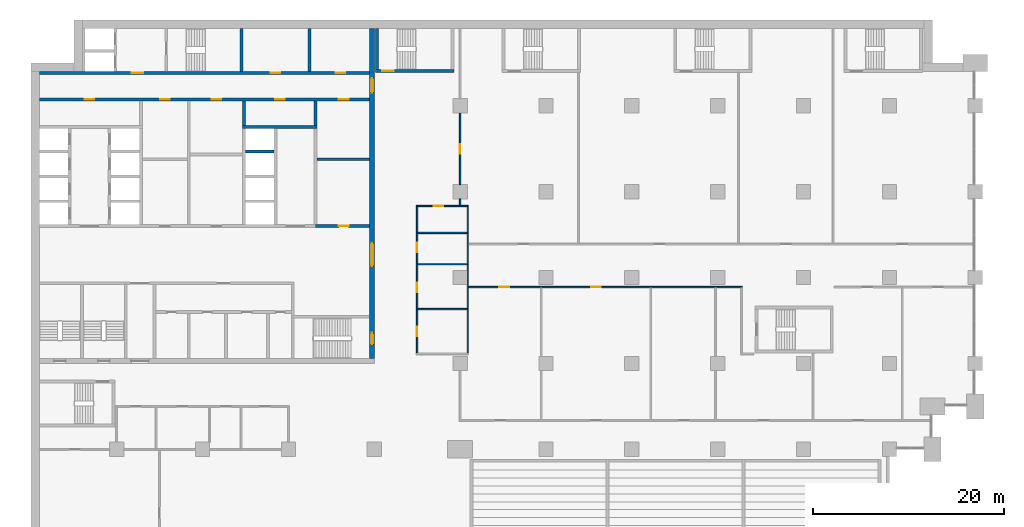
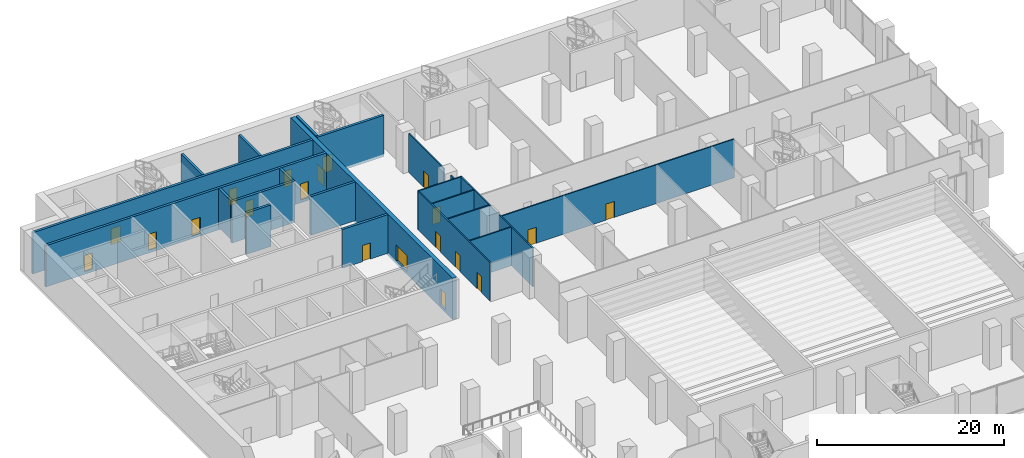
# One storey, part 19 of 44: 22 walls, 20 doors, 20 openings.
"""IFC4 building model written with IfcOpenShell, lengths in metres."""

from ifc_helpers import new_model, si_unit, direction, frame, frame_2d, origin, place, context, subcontext, project, spatial, rectangle, extrude, material, layer, layer_set, type_object, element, fill, save


model = new_model("IFC4")

# Units and contexts
model_context = context("Model", 3, precision=1e-05, world=origin(), true_north=direction((0.0, 1.0)))
body_context = subcontext(model_context, "Body", "Model", "MODEL_VIEW")
ifc_project = project(units=[si_unit("LENGTHUNIT", "METRE"), si_unit("AREAUNIT", "SQUARE_METRE"), si_unit("VOLUMEUNIT", "CUBIC_METRE"), si_unit("PLANEANGLEUNIT", "RADIAN"), si_unit("MASSUNIT", "GRAM", prefix="KILO")], contexts=[model_context])

# Site, building, storey
site_placement = place(None, origin())
site = spatial("IfcSite", under=ifc_project, at=site_placement, CompositionType="ELEMENT")
building_placement = place(site_placement, origin())
building = spatial("IfcBuilding", under=site, at=building_placement, Name="Hunhe Ridgeline Campus", CompositionType="ELEMENT")
storey_placement = place(building_placement, frame((0.0, 0.0, 6.0)))
storey = spatial("IfcBuildingStorey", under=building, at=storey_placement, Name="L01", CompositionType="ELEMENT", Elevation=6.0)

# Wall
ifc_material_1 = material(Name="Plastered blockwork", Category="masonry")
ifc_layer_1 = layer(ifc_material_1, 0.14990234375)
ifc_layer_set_1 = layer_set([ifc_layer_1], Name="Blockwork partition 150")
wall_type_1 = type_object("IfcWallType", Name="Blockwork partition 150", PredefinedType="PARTITIONING", material=ifc_layer_set_1)
wall_1_placement = place(storey_placement, frame((45.0, 79.574951171875, 0.0), z_axis=(0.0, 0.0, 1.0), x_axis=(0.0, 1.0, 0.0)))
element("IfcWall", 1, at=wall_1_placement, inside=storey, type_object=wall_type_1, Name="L01 partition", PredefinedType="PARTITIONING", context=body_context, shape_type="SweptSolid", body=[
    extrude(rectangle(XDim=0.675048828125, YDim=0.14990234375, at=frame_2d((0.33740234375, 0.0))), origin(), (0.0, 0.0, 1.0), 5.050048828125),
])

# Wall, opening, door
wall_2_placement = place(storey_placement, frame((45.0, 81.75, 0.0), z_axis=(0.0, 0.0, 1.0), x_axis=(0.0, 1.0, 0.0)))
wall_2 = element("IfcWall", 2, at=wall_2_placement, inside=storey, type_object=wall_type_1, Name="L01 partition", PredefinedType="PARTITIONING", context=body_context, shape_type="SweptSolid", body=[
    extrude(rectangle(XDim=7.5, YDim=0.14990234375, at=frame_2d((3.75, 0.0))), origin(), (0.0, 0.0, 1.0), 5.050048828125),
])
opening_1_placement = place(wall_2_placement, frame((3.25, 0.0, 0.0)))
opening_1 = element("IfcOpeningElement", 3, at=opening_1_placement, cuts=wall_2, Name="Opening PD237", PredefinedType="OPENING", context=body_context, shape_type="SweptSolid", body=[
    extrude(rectangle(XDim=1.0, YDim=2.10009765625, at=frame_2d((0.5, 1.050048828125))), frame((0.0, 0.074951171875, 0.0), z_axis=(0.0, -1.0, 0.0), x_axis=(1.0, 0.0, 0.0)), (0.0, 0.0, 1.0), 0.14990234375),
])
ifc_material_2 = material(Name="Timber", Category="wood")
door_type_1 = type_object("IfcDoorType", Name="Podium timber door 1000x2100", OperationType="NOTDEFINED", PredefinedType="DOOR", material=ifc_material_2)
door_1_placement = place(opening_1_placement, origin())
door_1 = element("IfcDoor", 4, at=door_1_placement, inside=storey, type_object=door_type_1, Name="Department Office 1.14 door", OperationType="SINGLE_SWING_RIGHT", OverallHeight=2.10009765625, OverallWidth=1.0, PredefinedType="DOOR", context=body_context, shape_type="SweptSolid", body=[
    extrude(rectangle(XDim=1.0, YDim=2.10009765625, at=frame_2d((0.5, 1.050048828125))), frame((0.0, 0.02490234375, 0.0), z_axis=(0.0, -1.0, 0.0), x_axis=(1.0, 0.0, 0.0)), (0.0, 0.0, 1.0), 0.050048828125),
])
fill(opening_1, door_1)

# Walls
wall_3_placement = place(storey_placement, frame((40.574951171875, 68.697021484375, 0.0), z_axis=(0.0, 0.0, 1.0), x_axis=(1.0, 0.0, 0.0)))
element("IfcWall", 5, at=wall_3_placement, inside=storey, type_object=wall_type_1, Name="L01 partition", PredefinedType="PARTITIONING", context=body_context, shape_type="SweptSolid", body=[
    extrude(rectangle(XDim=5.150146484375, YDim=0.14990234375, at=frame_2d((2.5751953125, 0.0))), origin(), (0.0, 0.0, 1.0), 5.050048828125),
])
wall_4_placement = place(storey_placement, frame((45.800048828125, 79.425048828125, 0.0), z_axis=(0.0, 0.0, 1.0), x_axis=(0.0, -1.0, 0.0)))
element("IfcWall", 6, at=wall_4_placement, inside=storey, type_object=wall_type_1, Name="L01 partition", PredefinedType="PARTITIONING", context=body_context, shape_type="SweptSolid", body=[
    extrude(rectangle(XDim=15.35009765625, YDim=0.14990234375, at=frame_2d((7.675048828125, 0.0))), origin(), (0.0, 0.0, 1.0), 5.050048828125),
])

# Wall, openings, doors
wall_5_placement = place(storey_placement, frame((40.5, 64.074951171875, 0.0), z_axis=(0.0, 0.0, 1.0), x_axis=(0.0, 1.0, 0.0)))
wall_5 = element("IfcWall", 7, at=wall_5_placement, inside=storey, type_object=wall_type_1, Name="L01 partition", PredefinedType="PARTITIONING", context=body_context, shape_type="SweptSolid", body=[
    extrude(rectangle(XDim=15.35009765625, YDim=0.14990234375, at=frame_2d((7.675048828125, 0.0))), origin(), (0.0, 0.0, 1.0), 5.050048828125),
])
opening_2_placement = place(wall_5_placement, frame((1.75, 0.0, 0.0)))
opening_2 = element("IfcOpeningElement", 8, at=opening_2_placement, cuts=wall_5, Name="Opening PD223", PredefinedType="OPENING", context=body_context, shape_type="SweptSolid", body=[
    extrude(rectangle(XDim=1.0, YDim=2.10009765625, at=frame_2d((0.5, 1.050048828125))), frame((0.0, 0.074951171875, 0.0), z_axis=(0.0, -1.0, 0.0), x_axis=(1.0, 0.0, 0.0)), (0.0, 0.0, 1.0), 0.14990234375),
])
opening_3_placement = place(wall_5_placement, frame((6.3720703125, 0.0, 0.0)))
opening_3 = element("IfcOpeningElement", 9, at=opening_3_placement, cuts=wall_5, Name="Opening PD224", PredefinedType="OPENING", context=body_context, shape_type="SweptSolid", body=[
    extrude(rectangle(XDim=1.0, YDim=2.10009765625, at=frame_2d((0.5, 1.050048828125))), frame((0.0, 0.074951171875, 0.0), z_axis=(0.0, -1.0, 0.0), x_axis=(1.0, 0.0, 0.0)), (0.0, 0.0, 1.0), 0.14990234375),
])
opening_4_placement = place(wall_5_placement, frame((10.569091796875, 0.0, 0.0)))
opening_4 = element("IfcOpeningElement", 10, at=opening_4_placement, cuts=wall_5, Name="Opening PD225", PredefinedType="OPENING", context=body_context, shape_type="SweptSolid", body=[
    extrude(rectangle(XDim=1.0, YDim=2.10009765625, at=frame_2d((0.5, 1.050048828125))), frame((0.0, 0.074951171875, 0.0), z_axis=(0.0, -1.0, 0.0), x_axis=(1.0, 0.0, 0.0)), (0.0, 0.0, 1.0), 0.14990234375),
])
door_type_2 = type_object("IfcDoorType", Name="Podium accessible WC door 1000x2100", OperationType="NOTDEFINED", PredefinedType="DOOR", material=ifc_material_2)
door_2_placement = place(opening_4_placement, origin())
door_2 = element("IfcDoor", 11, at=door_2_placement, inside=storey, type_object=door_type_2, Name="Accessible WC door", OperationType="SINGLE_SWING_RIGHT", OverallHeight=2.10009765625, OverallWidth=1.0, PredefinedType="DOOR", context=body_context, shape_type="SweptSolid", body=[
    extrude(rectangle(XDim=1.0, YDim=2.10009765625, at=frame_2d((0.5, 1.050048828125))), frame((0.0, 0.02490234375, 0.0), z_axis=(0.0, -1.0, 0.0), x_axis=(1.0, 0.0, 0.0)), (0.0, 0.0, 1.0), 0.050048828125),
])
fill(opening_4, door_2)
door_3_placement = place(opening_2_placement, origin())
door_3 = element("IfcDoor", 12, at=door_3_placement, inside=storey, type_object=door_type_1, Name="Men WC door", OperationType="SINGLE_SWING_LEFT", OverallHeight=2.10009765625, OverallWidth=1.0, PredefinedType="DOOR", context=body_context, shape_type="SweptSolid", body=[
    extrude(rectangle(XDim=1.0, YDim=2.10009765625, at=frame_2d((0.5, 1.050048828125))), frame((0.0, 0.02490234375, 0.0), z_axis=(0.0, -1.0, 0.0), x_axis=(1.0, 0.0, 0.0)), (0.0, 0.0, 1.0), 0.050048828125),
])
fill(opening_2, door_3)
door_4_placement = place(opening_3_placement, origin())
door_4 = element("IfcDoor", 13, at=door_4_placement, inside=storey, type_object=door_type_1, Name="Women WC door", OperationType="SINGLE_SWING_LEFT", OverallHeight=2.10009765625, OverallWidth=1.0, PredefinedType="DOOR", context=body_context, shape_type="SweptSolid", body=[
    extrude(rectangle(XDim=1.0, YDim=2.10009765625, at=frame_2d((0.5, 1.050048828125))), frame((0.0, 0.02490234375, 0.0), z_axis=(0.0, -1.0, 0.0), x_axis=(1.0, 0.0, 0.0)), (0.0, 0.0, 1.0), 0.050048828125),
])
fill(opening_3, door_4)

# Walls
for number, where, z_axis, x_axis, name in (
    (14, (40.574951171875, 73.39404296875, 0.0), (0.0, 0.0, 1.0), (1.0, 0.0, 0.0), "L01 partition"),
    (15, (40.574951171875, 76.681884765625, 0.0), (0.0, 0.0, 1.0), (1.0, 0.0, 0.0), "L01 partition"),
):
    element("IfcWall", number, at=place(storey_placement, frame(where, z_axis=z_axis, x_axis=x_axis)), inside=storey, type_object=wall_type_1, Name=name, PredefinedType="PARTITIONING", context=body_context, shape_type="SweptSolid", body=[
        extrude(rectangle(XDim=5.150146484375, YDim=0.14990234375, at=frame_2d((2.5751953125, 0.0))), origin(), (0.0, 0.0, 1.0), 5.050048828125),
    ])

# Wall, opening, door
wall_6_placement = place(storey_placement, frame((40.425048828125, 79.5, 0.0), z_axis=(0.0, 0.0, 1.0), x_axis=(1.0, 0.0, 0.0)))
wall_6 = element("IfcWall", 16, at=wall_6_placement, inside=storey, type_object=wall_type_1, Name="L01 partition", PredefinedType="PARTITIONING", context=body_context, shape_type="SweptSolid", body=[
    extrude(rectangle(XDim=5.449951171875, YDim=0.14990234375, at=frame_2d((2.72509765625, 0.0))), origin(), (0.0, 0.0, 1.0), 5.050048828125),
])
opening_5_placement = place(wall_6_placement, frame((1.824951171875, 0.0, 0.0)))
opening_5 = element("IfcOpeningElement", 17, at=opening_5_placement, cuts=wall_6, Name="Opening PD226", PredefinedType="OPENING", context=body_context, shape_type="SweptSolid", body=[
    extrude(rectangle(XDim=1.0, YDim=2.10009765625, at=frame_2d((0.5, 1.050048828125))), frame((0.0, 0.074951171875, 0.0), z_axis=(0.0, -1.0, 0.0), x_axis=(1.0, 0.0, 0.0)), (0.0, 0.0, 1.0), 0.14990234375),
])
door_5_placement = place(opening_5_placement, origin())
door_5 = element("IfcDoor", 18, at=door_5_placement, inside=storey, type_object=door_type_1, Name="Cleaners Store door", OperationType="SINGLE_SWING_LEFT", OverallHeight=2.10009765625, OverallWidth=1.0, PredefinedType="DOOR", context=body_context, shape_type="SweptSolid", body=[
    extrude(rectangle(XDim=1.0, YDim=2.10009765625, at=frame_2d((0.5, 1.050048828125))), frame((0.0, 0.02490234375, 0.0), z_axis=(0.0, -1.0, 0.0), x_axis=(1.0, 0.0, 0.0)), (0.0, 0.0, 1.0), 0.050048828125),
])
fill(opening_5, door_5)

# Wall, openings, doors
wall_7_placement = place(storey_placement, frame((45.875, 71.0, 0.0), z_axis=(0.0, 0.0, 1.0), x_axis=(1.0, 0.0, 0.0)))
wall_7 = element("IfcWall", 19, at=wall_7_placement, inside=storey, type_object=wall_type_1, Name="L01 partition", PredefinedType="PARTITIONING", context=body_context, shape_type="SweptSolid", body=[
    extrude(rectangle(XDim=28.699951171875, YDim=0.14990234375, at=frame_2d((14.35009765625, 0.0))), origin(), (0.0, 0.0, 1.0), 5.050048828125),
])
opening_6_placement = place(wall_7_placement, frame((3.25, 0.0, 0.0)))
opening_6 = element("IfcOpeningElement", 20, at=opening_6_placement, cuts=wall_7, Name="Opening PD228", PredefinedType="OPENING", context=body_context, shape_type="SweptSolid", body=[
    extrude(rectangle(XDim=1.0, YDim=2.10009765625, at=frame_2d((0.5, 1.050048828125))), frame((0.0, 0.074951171875, 0.0), z_axis=(0.0, -1.0, 0.0), x_axis=(1.0, 0.0, 0.0)), (0.0, 0.0, 1.0), 0.14990234375),
])
opening_7_placement = place(wall_7_placement, frame((12.87890625, 0.0, 0.0)))
opening_7 = element("IfcOpeningElement", 21, at=opening_7_placement, cuts=wall_7, Name="Opening PD230", PredefinedType="OPENING", context=body_context, shape_type="SweptSolid", body=[
    extrude(rectangle(XDim=1.0, YDim=2.10009765625, at=frame_2d((0.5, 1.050048828125))), frame((0.0, 0.074951171875, 0.0), z_axis=(0.0, -1.0, 0.0), x_axis=(1.0, 0.0, 0.0)), (0.0, 0.0, 1.0), 0.14990234375),
])
door_6_placement = place(opening_6_placement, origin())
door_6 = element("IfcDoor", 22, at=door_6_placement, inside=storey, type_object=door_type_1, Name="Computing Teaching Room 1.09 door", OperationType="SINGLE_SWING_LEFT", OverallHeight=2.10009765625, OverallWidth=1.0, PredefinedType="DOOR", context=body_context, shape_type="SweptSolid", body=[
    extrude(rectangle(XDim=1.0, YDim=2.10009765625, at=frame_2d((0.5, 1.050048828125))), frame((0.0, 0.02490234375, 0.0), z_axis=(0.0, -1.0, 0.0), x_axis=(1.0, 0.0, 0.0)), (0.0, 0.0, 1.0), 0.050048828125),
])
fill(opening_6, door_6)
door_7_placement = place(opening_7_placement, origin())
door_7 = element("IfcDoor", 23, at=door_7_placement, inside=storey, type_object=door_type_1, Name="Computing Teaching Room 1.10 door", OperationType="SINGLE_SWING_LEFT", OverallHeight=2.10009765625, OverallWidth=1.0, PredefinedType="DOOR", context=body_context, shape_type="SweptSolid", body=[
    extrude(rectangle(XDim=1.0, YDim=2.10009765625, at=frame_2d((0.5, 1.050048828125))), frame((0.0, 0.02490234375, 0.0), z_axis=(0.0, -1.0, 0.0), x_axis=(1.0, 0.0, 0.0)), (0.0, 0.0, 1.0), 0.050048828125),
])
fill(opening_7, door_7)

# Wall, opening, door
ifc_material_3 = material(Name="Masonry concrete blockwork", Category="masonry")
ifc_layer_2 = layer(ifc_material_3, 0.300048828125)
ifc_layer_set_2 = layer_set([ifc_layer_2], Name="Core room partition 300 concrete block")
wall_type_2 = type_object("IfcWallType", Name="Core room partition 300 concrete block", PredefinedType="PARTITIONING", material=ifc_layer_set_2)
wall_8_placement = place(storey_placement, frame((29.85009765625, 77.39990234375, 0.0), z_axis=(0.0, 0.0, 1.0), x_axis=(1.0, 0.0, 0.0)))
wall_8 = element("IfcWall", 24, at=wall_8_placement, inside=storey, type_object=wall_type_2, Name="L01 core partition 15", PredefinedType="PARTITIONING", context=body_context, shape_type="SweptSolid", body=[
    extrude(rectangle(XDim=5.64990234375, YDim=0.300048828125, at=frame_2d((2.824951171875, 0.0))), origin(), (0.0, 0.0, 1.0), 5.050048828125),
])
opening_8_placement = place(wall_8_placement, frame((2.449951171875, 0.0, 0.0)))
opening_8 = element("IfcOpeningElement", 25, at=opening_8_placement, cuts=wall_8, Name="Opening CD32", PredefinedType="OPENING", context=body_context, shape_type="SweptSolid", body=[
    extrude(rectangle(XDim=1.0, YDim=2.10009765625, at=frame_2d((0.5, 1.050048828125))), frame((0.0, 0.14990234375, 0.0), z_axis=(0.0, -1.0, 0.0), x_axis=(1.0, 0.0, 0.0)), (0.0, 0.0, 1.0), 0.300048828125),
])
ifc_material_4 = material(Name="Solid core timber door leaf", Category="wood")
door_type_3 = type_object("IfcDoorType", Name="Timber door 1000x2100", OperationType="SINGLE_SWING_LEFT", PredefinedType="DOOR", material=ifc_material_4)
door_8_placement = place(opening_8_placement, origin())
door_8 = element("IfcDoor", 26, at=door_8_placement, inside=storey, type_object=door_type_3, Name="L01 door ES0", OperationType="SINGLE_SWING_RIGHT", OverallHeight=2.10009765625, OverallWidth=1.0, PredefinedType="DOOR", context=body_context, shape_type="SweptSolid", body=[
    extrude(rectangle(XDim=1.0, YDim=2.10009765625, at=frame_2d((0.5, 1.050048828125))), frame((0.0, 0.02490234375, 0.0), z_axis=(0.0, -1.0, 0.0), x_axis=(1.0, 0.0, 0.0)), (0.0, 0.0, 1.0), 0.050048828125),
])
fill(opening_8, door_8)

# Walls
wall_9_placement = place(storey_placement, frame((30.0, 84.39990234375, 0.0), z_axis=(0.0, 0.0, 1.0), x_axis=(1.0, 0.0, 0.0)))
element("IfcWall", 27, at=wall_9_placement, inside=storey, type_object=wall_type_2, Name="L01 core partition 23", PredefinedType="PARTITIONING", context=body_context, shape_type="SweptSolid", body=[
    extrude(rectangle(XDim=5.5, YDim=0.300048828125, at=frame_2d((2.75, 0.0))), origin(), (0.0, 0.0, 1.0), 5.050048828125),
])
wall_10_placement = place(storey_placement, frame((22.35009765625, 87.949951171875, 0.0), z_axis=(0.0, 0.0, 1.0), x_axis=(0.0, 1.0, 0.0)))
element("IfcWall", 28, at=wall_10_placement, inside=storey, type_object=wall_type_2, Name="L01 core partition 55", PredefinedType="PARTITIONING", context=body_context, shape_type="SweptSolid", body=[
    extrude(rectangle(XDim=2.550048828125, YDim=0.300048828125, at=frame_2d((1.27490234375, 0.0))), origin(), (0.0, 0.0, 1.0), 5.050048828125),
])
wall_11_placement = place(storey_placement, frame((29.199951171875, 93.60009765625, 0.0), z_axis=(0.0, 0.0, 1.0), x_axis=(0.0, 1.0, 0.0)))
element("IfcWall", 29, at=wall_11_placement, inside=storey, type_object=wall_type_2, Name="L01 core partition 61", PredefinedType="PARTITIONING", context=body_context, shape_type="SweptSolid", body=[
    extrude(rectangle(XDim=4.5, YDim=0.300048828125, at=frame_2d((2.25, 0.0))), origin(), (0.0, 0.0, 1.0), 5.050048828125),
])
wall_12_placement = place(storey_placement, frame((29.85009765625, 87.949951171875, 0.0), z_axis=(0.0, 0.0, 1.0), x_axis=(0.0, 1.0, 0.0)))
element("IfcWall", 30, at=wall_12_placement, inside=storey, type_object=wall_type_2, Name="L01 core partition 63", PredefinedType="PARTITIONING", context=body_context, shape_type="SweptSolid", body=[
    extrude(rectangle(XDim=2.550048828125, YDim=0.300048828125, at=frame_2d((1.27490234375, 0.0))), origin(), (0.0, 0.0, 1.0), 5.050048828125),
])

# Wall, openings, doors
ifc_material_5 = material(Name="Concrete C80", Category="concrete")
ifc_layer_3 = layer(ifc_material_5, 0.5)
ifc_layer_set_3 = layer_set([ifc_layer_3], Name="Core wall 500 reinforced concrete C80")
wall_type_3 = type_object("IfcWallType", Name="Core wall 500 reinforced concrete C80", PredefinedType="SOLIDWALL", material=ifc_layer_set_3)
wall_13_placement = place(storey_placement, frame((35.75, 63.5, -0.35009765625), z_axis=(0.0, 0.0, 1.0), x_axis=(0.0, 1.0, 0.0)))
wall_13 = element("IfcWall", 31, at=wall_13_placement, inside=storey, type_object=wall_type_3, Name="L01 core wall 64", PredefinedType="SOLIDWALL", context=body_context, shape_type="SweptSolid", body=[
    extrude(rectangle(XDim=34.60009765625, YDim=0.5, at=frame_2d((17.300048828125, 0.0))), origin(), (0.0, 0.0, 1.0), 5.400146484375),
])
opening_9_placement = place(wall_13_placement, frame((9.699951171875, 0.0, 0.35009765625)))
opening_9 = element("IfcOpeningElement", 32, at=opening_9_placement, cuts=wall_13, Name="Opening CD4", PredefinedType="OPENING", context=body_context, shape_type="SweptSolid", body=[
    extrude(rectangle(XDim=2.39990234375, YDim=2.10009765625, at=frame_2d((1.199951171875, 1.050048828125))), frame((0.0, 0.25, 0.0), z_axis=(0.0, -1.0, 0.0), x_axis=(1.0, 0.0, 0.0)), (0.0, 0.0, 1.0), 0.5),
])
opening_10_placement = place(wall_13_placement, frame((27.89990234375, 0.0, 0.35009765625)))
opening_10 = element("IfcOpeningElement", 33, at=opening_10_placement, cuts=wall_13, Name="Opening CD5", PredefinedType="OPENING", context=body_context, shape_type="SweptSolid", body=[
    extrude(rectangle(XDim=1.5, YDim=2.10009765625, at=frame_2d((0.75, 1.050048828125))), frame((0.0, 0.25, 0.0), z_axis=(0.0, -1.0, 0.0), x_axis=(1.0, 0.0, 0.0)), (0.0, 0.0, 1.0), 0.5),
])
opening_11_placement = place(wall_13_placement, frame((1.5, 0.0, 0.35009765625)))
opening_11 = element("IfcOpeningElement", 34, at=opening_11_placement, cuts=wall_13, Name="Opening CD15", PredefinedType="OPENING", context=body_context, shape_type="SweptSolid", body=[
    extrude(rectangle(XDim=1.199951171875, YDim=2.10009765625, at=frame_2d((0.60009765625, 1.050048828125))), frame((0.0, 0.25, 0.0), z_axis=(0.0, -1.0, 0.0), x_axis=(1.0, 0.0, 0.0)), (0.0, 0.0, 1.0), 0.5),
])
ifc_material_6 = material(Name="Anodised aluminium and glass", Category="aluminium")
door_type_4 = type_object("IfcDoorType", Name="Glazed double door 2400x2100", OperationType="DOUBLE_DOOR_SINGLE_SWING", PredefinedType="DOOR", material=ifc_material_6)
door_9_placement = place(opening_9_placement, frame((2.39990234375, 0.0, 0.0), z_axis=(0.0, 0.0, 1.0), x_axis=(-1.0, 0.0, 0.0)))
door_9 = element("IfcDoor", 35, at=door_9_placement, inside=storey, type_object=door_type_4, Name="L01 door HALL-FLOOR", OperationType="DOUBLE_DOOR_SINGLE_SWING", OverallHeight=2.10009765625, OverallWidth=2.39990234375, PredefinedType="DOOR", context=body_context, shape_type="SweptSolid", body=[
    extrude(rectangle(XDim=2.39990234375, YDim=2.10009765625, at=frame_2d((1.199951171875, 1.050048828125))), frame((0.0, 0.02490234375, 0.0), z_axis=(0.0, -1.0, 0.0), x_axis=(1.0, 0.0, 0.0)), (0.0, 0.0, 1.0), 0.050048828125),
])
fill(opening_9, door_9)
ifc_material_7 = material(Name="Hollow metal fire door leaf")
door_type_5 = type_object("IfcDoorType", Name="Stair door 1200x2100 FD60", OperationType="SINGLE_SWING_LEFT", PredefinedType="DOOR", material=ifc_material_7)
door_10_placement = place(opening_11_placement, frame((1.199951171875, 0.0, 0.0), z_axis=(0.0, 0.0, 1.0), x_axis=(-1.0, 0.0, 0.0)))
door_10 = element("IfcDoor", 36, at=door_10_placement, inside=storey, type_object=door_type_5, Name="L01 door S2-FLOOR", OperationType="SINGLE_SWING_RIGHT", OverallHeight=2.10009765625, OverallWidth=1.199951171875, PredefinedType="DOOR", context=body_context, shape_type="SweptSolid", body=[
    extrude(rectangle(XDim=1.199951171875, YDim=2.10009765625, at=frame_2d((0.60009765625, 1.050048828125))), frame((0.0, 0.02490234375, 0.0), z_axis=(0.0, -1.0, 0.0), x_axis=(1.0, 0.0, 0.0)), (0.0, 0.0, 1.0), 0.050048828125),
])
fill(opening_11, door_10)
door_type_6 = type_object("IfcDoorType", Name="Timber door 1500x2100", OperationType="SINGLE_SWING_LEFT", PredefinedType="DOOR", material=ifc_material_4)
door_11_placement = place(opening_10_placement, frame((1.5, 0.0, 0.0), z_axis=(0.0, 0.0, 1.0), x_axis=(-1.0, 0.0, 0.0)))
door_11 = element("IfcDoor", 37, at=door_11_placement, inside=storey, type_object=door_type_6, Name="L01 door C1-FLOOR", OperationType="SINGLE_SWING_RIGHT", OverallHeight=2.10009765625, OverallWidth=1.5, PredefinedType="DOOR", context=body_context, shape_type="SweptSolid", body=[
    extrude(rectangle(XDim=1.5, YDim=2.10009765625, at=frame_2d((0.75, 1.050048828125))), frame((0.0, 0.02490234375, 0.0), z_axis=(0.0, -1.0, 0.0), x_axis=(1.0, 0.0, 0.0)), (0.0, 0.0, 1.0), 0.050048828125),
])
fill(opening_10, door_11)

ifc_layer_4 = layer(ifc_material_5, 0.300048828125)
ifc_layer_set_4 = layer_set([ifc_layer_4], Name="Lobby wall 300 reinforced concrete C80")
wall_type_4 = type_object("IfcWallType", Name="Lobby wall 300 reinforced concrete C80", PredefinedType="SOLIDWALL", material=ifc_layer_set_4)
wall_14_placement = place(storey_placement, frame((0.89990234375, 90.64990234375, -0.35009765625), z_axis=(0.0, 0.0, 1.0), x_axis=(1.0, 0.0, 0.0)))
wall_14 = element("IfcWall", 38, at=wall_14_placement, inside=storey, type_object=wall_type_4, Name="L01 core wall 30", PredefinedType="SOLIDWALL", context=body_context, shape_type="SweptSolid", body=[
    extrude(rectangle(XDim=34.60009765625, YDim=0.300048828125, at=frame_2d((17.300048828125, 0.0))), origin(), (0.0, 0.0, 1.0), 5.400146484375),
])
opening_12_placement = place(wall_14_placement, frame((4.75, 0.0, 0.35009765625)))
opening_12 = element("IfcOpeningElement", 39, at=opening_12_placement, cuts=wall_14, Name="Opening CD26", PredefinedType="OPENING", context=body_context, shape_type="SweptSolid", body=[
    extrude(rectangle(XDim=1.0, YDim=2.10009765625, at=frame_2d((0.5, 1.050048828125))), frame((0.0, 0.14990234375, 0.0), z_axis=(0.0, -1.0, 0.0), x_axis=(1.0, 0.0, 0.0)), (0.0, 0.0, 1.0), 0.300048828125),
])
opening_13_placement = place(wall_14_placement, frame((24.699951171875, 0.0, 0.35009765625)))
opening_13 = element("IfcOpeningElement", 40, at=opening_13_placement, cuts=wall_14, Name="Opening CD27", PredefinedType="OPENING", context=body_context, shape_type="SweptSolid", body=[
    extrude(rectangle(XDim=1.0, YDim=2.10009765625, at=frame_2d((0.5, 1.050048828125))), frame((0.0, 0.14990234375, 0.0), z_axis=(0.0, -1.0, 0.0), x_axis=(1.0, 0.0, 0.0)), (0.0, 0.0, 1.0), 0.300048828125),
])
opening_14_placement = place(wall_14_placement, frame((12.64990234375, 0.0, 0.35009765625)))
opening_14 = element("IfcOpeningElement", 41, at=opening_14_placement, cuts=wall_14, Name="Opening CD29", PredefinedType="OPENING", context=body_context, shape_type="SweptSolid", body=[
    extrude(rectangle(XDim=1.0, YDim=2.10009765625, at=frame_2d((0.5, 1.050048828125))), frame((0.0, 0.14990234375, 0.0), z_axis=(0.0, -1.0, 0.0), x_axis=(1.0, 0.0, 0.0)), (0.0, 0.0, 1.0), 0.300048828125),
])
opening_15_placement = place(wall_14_placement, frame((18.050048828125, 0.0, 0.35009765625)))
opening_15 = element("IfcOpeningElement", 42, at=opening_15_placement, cuts=wall_14, Name="Opening CD31", PredefinedType="OPENING", context=body_context, shape_type="SweptSolid", body=[
    extrude(rectangle(XDim=1.0, YDim=2.10009765625, at=frame_2d((0.5, 1.050048828125))), frame((0.0, 0.14990234375, 0.0), z_axis=(0.0, -1.0, 0.0), x_axis=(1.0, 0.0, 0.0)), (0.0, 0.0, 1.0), 0.300048828125),
])
opening_16_placement = place(wall_14_placement, frame((31.39990234375, 0.0, 0.35009765625)))
opening_16 = element("IfcOpeningElement", 43, at=opening_16_placement, cuts=wall_14, Name="Opening CD33", PredefinedType="OPENING", context=body_context, shape_type="SweptSolid", body=[
    extrude(rectangle(XDim=1.0, YDim=2.10009765625, at=frame_2d((0.5, 1.050048828125))), frame((0.0, 0.14990234375, 0.0), z_axis=(0.0, -1.0, 0.0), x_axis=(1.0, 0.0, 0.0)), (0.0, 0.0, 1.0), 0.300048828125),
])
door_12_placement = place(opening_12_placement, frame((1.0, 0.0, 0.0), z_axis=(0.0, 0.0, 1.0), x_axis=(-1.0, 0.0, 0.0)))
door_12 = element("IfcDoor", 44, at=door_12_placement, inside=storey, type_object=door_type_3, Name="L01 door NR-0", OperationType="SINGLE_SWING_RIGHT", OverallHeight=2.10009765625, OverallWidth=1.0, PredefinedType="DOOR", context=body_context, shape_type="SweptSolid", body=[
    extrude(rectangle(XDim=1.0, YDim=2.10009765625, at=frame_2d((0.5, 1.050048828125))), frame((0.0, 0.02490234375, 0.0), z_axis=(0.0, -1.0, 0.0), x_axis=(1.0, 0.0, 0.0)), (0.0, 0.0, 1.0), 0.050048828125),
])
fill(opening_12, door_12)
door_13_placement = place(opening_13_placement, frame((1.0, 0.0, 0.0), z_axis=(0.0, 0.0, 1.0), x_axis=(-1.0, 0.0, 0.0)))
door_13 = element("IfcDoor", 45, at=door_13_placement, inside=storey, type_object=door_type_3, Name="L01 door NR-1", OperationType="SINGLE_SWING_LEFT", OverallHeight=2.10009765625, OverallWidth=1.0, PredefinedType="DOOR", context=body_context, shape_type="SweptSolid", body=[
    extrude(rectangle(XDim=1.0, YDim=2.10009765625, at=frame_2d((0.5, 1.050048828125))), frame((0.0, 0.02490234375, 0.0), z_axis=(0.0, -1.0, 0.0), x_axis=(1.0, 0.0, 0.0)), (0.0, 0.0, 1.0), 0.050048828125),
])
fill(opening_13, door_13)
door_14_placement = place(opening_14_placement, frame((1.0, 0.0, 0.0), z_axis=(0.0, 0.0, 1.0), x_axis=(-1.0, 0.0, 0.0)))
door_14 = element("IfcDoor", 46, at=door_14_placement, inside=storey, type_object=door_type_3, Name="L01 door VD-HR1", OperationType="SINGLE_SWING_LEFT", OverallHeight=2.10009765625, OverallWidth=1.0, PredefinedType="DOOR", context=body_context, shape_type="SweptSolid", body=[
    extrude(rectangle(XDim=1.0, YDim=2.10009765625, at=frame_2d((0.5, 1.050048828125))), frame((0.0, 0.02490234375, 0.0), z_axis=(0.0, -1.0, 0.0), x_axis=(1.0, 0.0, 0.0)), (0.0, 0.0, 1.0), 0.050048828125),
])
fill(opening_14, door_14)
door_15_placement = place(opening_15_placement, frame((1.0, 0.0, 0.0), z_axis=(0.0, 0.0, 1.0), x_axis=(-1.0, 0.0, 0.0)))
door_15 = element("IfcDoor", 47, at=door_15_placement, inside=storey, type_object=door_type_3, Name="L01 door VD-HR3", OperationType="SINGLE_SWING_LEFT", OverallHeight=2.10009765625, OverallWidth=1.0, PredefinedType="DOOR", context=body_context, shape_type="SweptSolid", body=[
    extrude(rectangle(XDim=1.0, YDim=2.10009765625, at=frame_2d((0.5, 1.050048828125))), frame((0.0, 0.02490234375, 0.0), z_axis=(0.0, -1.0, 0.0), x_axis=(1.0, 0.0, 0.0)), (0.0, 0.0, 1.0), 0.050048828125),
])
fill(opening_15, door_15)
door_16_placement = place(opening_16_placement, frame((1.0, 0.0, 0.0), z_axis=(0.0, 0.0, 1.0), x_axis=(-1.0, 0.0, 0.0)))
door_16 = element("IfcDoor", 48, at=door_16_placement, inside=storey, type_object=door_type_3, Name="L01 door ES1", OperationType="SINGLE_SWING_RIGHT", OverallHeight=2.10009765625, OverallWidth=1.0, PredefinedType="DOOR", context=body_context, shape_type="SweptSolid", body=[
    extrude(rectangle(XDim=1.0, YDim=2.10009765625, at=frame_2d((0.5, 1.050048828125))), frame((0.0, 0.02490234375, 0.0), z_axis=(0.0, -1.0, 0.0), x_axis=(1.0, 0.0, 0.0)), (0.0, 0.0, 1.0), 0.050048828125),
])
fill(opening_16, door_16)

# Walls
ifc_layer_5 = layer(ifc_material_5, 0.300048828125)
ifc_layer_set_5 = layer_set([ifc_layer_5], Name="Shaft wall 300 reinforced concrete C80")
wall_type_5 = type_object("IfcWallType", Name="Shaft wall 300 reinforced concrete C80", PredefinedType="SOLIDWALL", material=ifc_layer_set_5)
wall_15_placement = place(storey_placement, frame((22.5, 85.199951171875, -0.35009765625), z_axis=(0.0, 0.0, 1.0), x_axis=(1.0, 0.0, 0.0)))
element("IfcWall", 49, at=wall_15_placement, inside=storey, type_object=wall_type_5, Name="L01 core wall 27", PredefinedType="SOLIDWALL", context=body_context, shape_type="SweptSolid", body=[
    extrude(rectangle(XDim=3.0, YDim=0.300048828125, at=frame_2d((1.5, 0.0))), origin(), (0.0, 0.0, 1.0), 5.400146484375),
])
wall_16_placement = place(storey_placement, frame((22.199951171875, 87.800048828125, -0.35009765625), z_axis=(0.0, 0.0, 1.0), x_axis=(1.0, 0.0, 0.0)))
element("IfcWall", 50, at=wall_16_placement, inside=storey, type_object=wall_type_5, Name="L01 core wall 29", PredefinedType="SOLIDWALL", context=body_context, shape_type="SweptSolid", body=[
    extrude(rectangle(XDim=7.800048828125, YDim=0.300048828125, at=frame_2d((3.89990234375, 0.0))), origin(), (0.0, 0.0, 1.0), 5.400146484375),
])

# Wall, openings, doors
wall_17_placement = place(storey_placement, frame((0.89990234375, 93.449951171875, -0.35009765625), z_axis=(0.0, 0.0, 1.0), x_axis=(1.0, 0.0, 0.0)))
wall_17 = element("IfcWall", 51, at=wall_17_placement, inside=storey, type_object=wall_type_5, Name="L01 core wall 31", PredefinedType="SOLIDWALL", context=body_context, shape_type="SweptSolid", body=[
    extrude(rectangle(XDim=34.60009765625, YDim=0.300048828125, at=frame_2d((17.300048828125, 0.0))), origin(), (0.0, 0.0, 1.0), 5.400146484375),
])
opening_17_placement = place(wall_17_placement, frame((9.699951171875, 0.0, 0.35009765625)))
opening_17 = element("IfcOpeningElement", 52, at=opening_17_placement, cuts=wall_17, Name="Opening CD3", PredefinedType="OPENING", context=body_context, shape_type="SweptSolid", body=[
    extrude(rectangle(XDim=1.199951171875, YDim=2.10009765625, at=frame_2d((0.60009765625, 1.050048828125))), frame((0.0, 0.14990234375, 0.0), z_axis=(0.0, -1.0, 0.0), x_axis=(1.0, 0.0, 0.0)), (0.0, 0.0, 1.0), 0.300048828125),
])
opening_18_placement = place(wall_17_placement, frame((24.25, 0.0, 0.35009765625)))
opening_18 = element("IfcOpeningElement", 53, at=opening_18_placement, cuts=wall_17, Name="Opening CD34", PredefinedType="OPENING", context=body_context, shape_type="SweptSolid", body=[
    extrude(rectangle(XDim=1.0, YDim=2.10009765625, at=frame_2d((0.5, 1.050048828125))), frame((0.0, 0.14990234375, 0.0), z_axis=(0.0, -1.0, 0.0), x_axis=(1.0, 0.0, 0.0)), (0.0, 0.0, 1.0), 0.300048828125),
])
opening_19_placement = place(wall_17_placement, frame((31.074951171875, 0.0, 0.35009765625)))
opening_19 = element("IfcOpeningElement", 54, at=opening_19_placement, cuts=wall_17, Name="Opening CD35", PredefinedType="OPENING", context=body_context, shape_type="SweptSolid", body=[
    extrude(rectangle(XDim=1.0, YDim=2.10009765625, at=frame_2d((0.5, 1.050048828125))), frame((0.0, 0.14990234375, 0.0), z_axis=(0.0, -1.0, 0.0), x_axis=(1.0, 0.0, 0.0)), (0.0, 0.0, 1.0), 0.300048828125),
])
door_type_7 = type_object("IfcDoorType", Name="Lobby door 1200x2100 FD60", OperationType="SINGLE_SWING_LEFT", PredefinedType="DOOR", material=ifc_material_7)
door_17_placement = place(opening_17_placement, frame((1.199951171875, 0.0, 0.0), z_axis=(0.0, 0.0, 1.0), x_axis=(-1.0, 0.0, 0.0)))
door_17 = element("IfcDoor", 55, at=door_17_placement, inside=storey, type_object=door_type_7, Name="L01 door FF-C1", OperationType="SINGLE_SWING_LEFT", OverallHeight=2.10009765625, OverallWidth=1.199951171875, PredefinedType="DOOR", context=body_context, shape_type="SweptSolid", body=[
    extrude(rectangle(XDim=1.199951171875, YDim=2.10009765625, at=frame_2d((0.60009765625, 1.050048828125))), frame((0.0, 0.02490234375, 0.0), z_axis=(0.0, -1.0, 0.0), x_axis=(1.0, 0.0, 0.0)), (0.0, 0.0, 1.0), 0.050048828125),
])
fill(opening_17, door_17)
door_18_placement = place(opening_18_placement, origin())
door_18 = element("IfcDoor", 56, at=door_18_placement, inside=storey, type_object=door_type_3, Name="L01 door NB0", OperationType="SINGLE_SWING_RIGHT", OverallHeight=2.10009765625, OverallWidth=1.0, PredefinedType="DOOR", context=body_context, shape_type="SweptSolid", body=[
    extrude(rectangle(XDim=1.0, YDim=2.10009765625, at=frame_2d((0.5, 1.050048828125))), frame((0.0, 0.02490234375, 0.0), z_axis=(0.0, -1.0, 0.0), x_axis=(1.0, 0.0, 0.0)), (0.0, 0.0, 1.0), 0.050048828125),
])
fill(opening_18, door_18)
door_19_placement = place(opening_19_placement, origin())
door_19 = element("IfcDoor", 57, at=door_19_placement, inside=storey, type_object=door_type_3, Name="L01 door NB1", OperationType="SINGLE_SWING_LEFT", OverallHeight=2.10009765625, OverallWidth=1.0, PredefinedType="DOOR", context=body_context, shape_type="SweptSolid", body=[
    extrude(rectangle(XDim=1.0, YDim=2.10009765625, at=frame_2d((0.5, 1.050048828125))), frame((0.0, 0.02490234375, 0.0), z_axis=(0.0, -1.0, 0.0), x_axis=(1.0, 0.0, 0.0)), (0.0, 0.0, 1.0), 0.050048828125),
])
fill(opening_19, door_19)

# Wall, opening, door
ifc_layer_6 = layer(ifc_material_5, 0.300048828125)
ifc_layer_set_6 = layer_set([ifc_layer_6], Name="Stair wall 300 reinforced concrete C80")
wall_type_6 = type_object("IfcWallType", Name="Stair wall 300 reinforced concrete C80", PredefinedType="SOLIDWALL", material=ifc_layer_set_6)
wall_18_placement = place(storey_placement, frame((36.14990234375, 93.64990234375, -0.35009765625), z_axis=(0.0, 0.0, 1.0), x_axis=(1.0, 0.0, 0.0)))
wall_18 = element("IfcWall", 58, at=wall_18_placement, inside=storey, type_object=wall_type_6, Name="L01 core wall 32", PredefinedType="SOLIDWALL", context=body_context, shape_type="SweptSolid", body=[
    extrude(rectangle(XDim=8.2001953125, YDim=0.300048828125, at=frame_2d((4.10009765625, 0.0))), origin(), (0.0, 0.0, 1.0), 5.400146484375),
])
opening_20_placement = place(wall_18_placement, frame((0.699951171875, 0.0, 0.35009765625)))
opening_20 = element("IfcOpeningElement", 59, at=opening_20_placement, cuts=wall_18, Name="Opening CD17", PredefinedType="OPENING", context=body_context, shape_type="SweptSolid", body=[
    extrude(rectangle(XDim=1.199951171875, YDim=2.10009765625, at=frame_2d((0.60009765625, 1.050048828125))), frame((0.0, 0.14990234375, 0.0), z_axis=(0.0, -1.0, 0.0), x_axis=(1.0, 0.0, 0.0)), (0.0, 0.0, 1.0), 0.300048828125),
])
door_20_placement = place(opening_20_placement, frame((1.199951171875, 0.0, 0.0), z_axis=(0.0, 0.0, 1.0), x_axis=(-1.0, 0.0, 0.0)))
door_20 = element("IfcDoor", 60, at=door_20_placement, inside=storey, type_object=door_type_5, Name="L01 door E1", OperationType="SINGLE_SWING_RIGHT", OverallHeight=2.10009765625, OverallWidth=1.199951171875, PredefinedType="DOOR", context=body_context, shape_type="SweptSolid", body=[
    extrude(rectangle(XDim=1.199951171875, YDim=2.10009765625, at=frame_2d((0.60009765625, 1.050048828125))), frame((0.0, 0.02490234375, 0.0), z_axis=(0.0, -1.0, 0.0), x_axis=(1.0, 0.0, 0.0)), (0.0, 0.0, 1.0), 0.050048828125),
])
fill(opening_20, door_20)

# Walls
wall_19_placement = place(storey_placement, frame((22.10009765625, 93.60009765625, -0.35009765625), z_axis=(0.0, 0.0, 1.0), x_axis=(0.0, 1.0, 0.0)))
element("IfcWall", 61, at=wall_19_placement, inside=storey, type_object=wall_type_6, Name="L01 core wall 53", PredefinedType="SOLIDWALL", context=body_context, shape_type="SweptSolid", body=[
    extrude(rectangle(XDim=4.5, YDim=0.300048828125, at=frame_2d((2.25, 0.0))), origin(), (0.0, 0.0, 1.0), 5.400146484375),
])
wall_20_placement = place(storey_placement, frame((36.300048828125, 93.800048828125, -0.35009765625), z_axis=(0.0, 0.0, 1.0), x_axis=(0.0, 1.0, 0.0)))
element("IfcWall", 62, at=wall_20_placement, inside=storey, type_object=wall_type_6, Name="L01 core wall 65", PredefinedType="SOLIDWALL", context=body_context, shape_type="SweptSolid", body=[
    extrude(rectangle(XDim=4.300048828125, YDim=0.300048828125, at=frame_2d((2.14990234375, 0.0))), origin(), (0.0, 0.0, 1.0), 5.400146484375),
])

save(model, "model.ifc")
